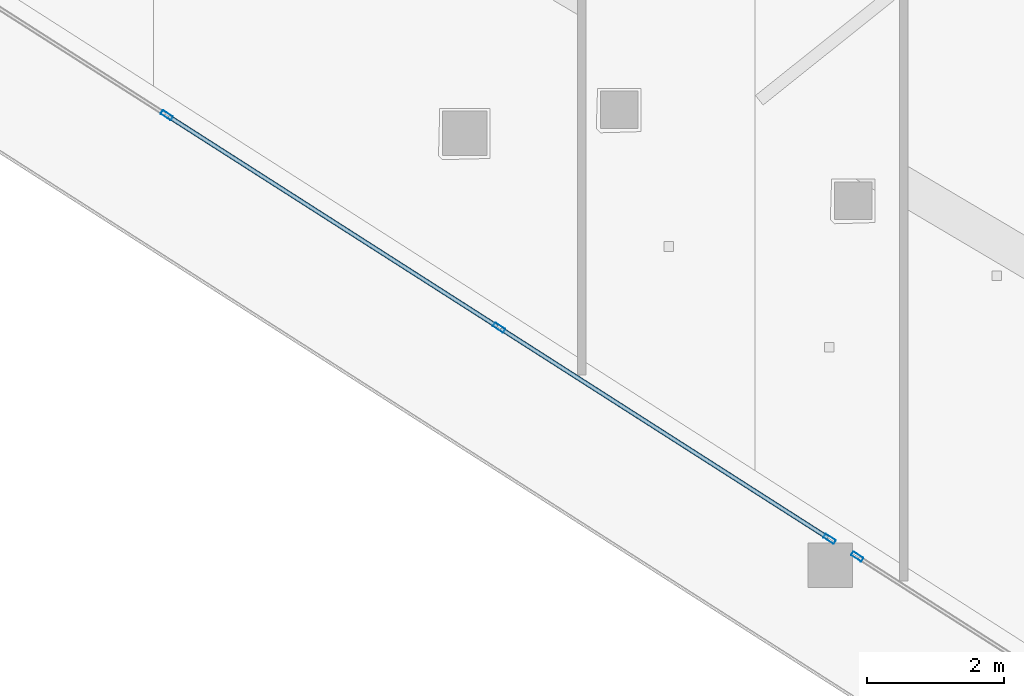
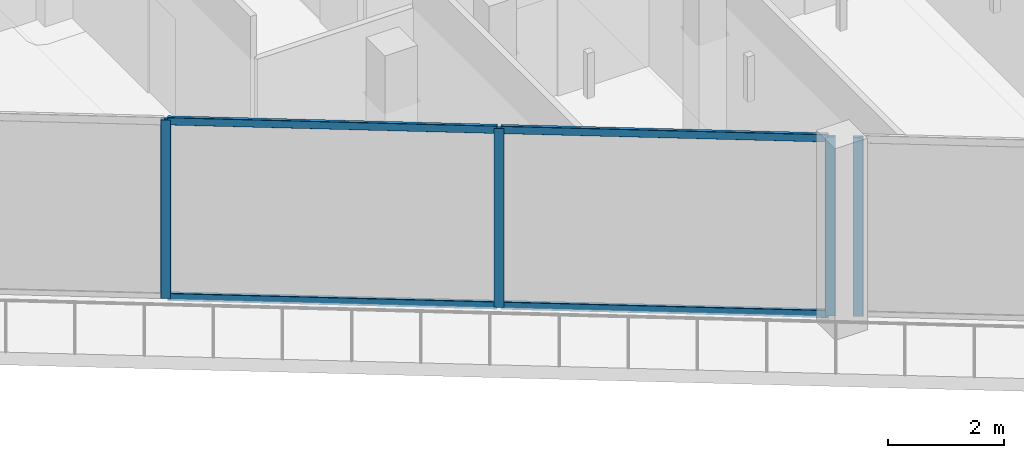
# One storey, part 3 of 37: 8 members, 2 elements without a shape of their own.
"""IFC4 building model written with IfcOpenShell, lengths in metres."""

from ifc_helpers import new_model, si_unit, direction, frame, origin, origin_2d, place, context, subcontext, project, spatial, hollow_rectangle, extrude, material, layer, layer_set, material_profile, profile_set, type_object, element, aggregate, save


model = new_model("IFC4")

# Units and contexts
model_context = context("Model", 3, precision=1e-05, world=origin(), true_north=direction((0.0, 1.0)))
body_context = subcontext(model_context, "Body", "Model", "MODEL_VIEW")
ifc_project = project(units=[si_unit("LENGTHUNIT", "METRE"), si_unit("AREAUNIT", "SQUARE_METRE"), si_unit("VOLUMEUNIT", "CUBIC_METRE"), si_unit("PLANEANGLEUNIT", "RADIAN"), si_unit("MASSUNIT", "GRAM", prefix="KILO")], contexts=[model_context])

# Site, building, storey
site_placement = place(None, origin())
site = spatial("IfcSite", under=ifc_project, at=site_placement, CompositionType="ELEMENT")
building_placement = place(site_placement, origin())
building = spatial("IfcBuilding", under=site, at=building_placement, Name="Qorvath Tower", CompositionType="ELEMENT")
storey_placement = place(building_placement, frame((0.0, 0.0, 184.800048828125)))
storey = spatial("IfcBuildingStorey", under=building, at=storey_placement, Name="L42", CompositionType="ELEMENT", Elevation=184.800048828125)

# Curtain wall, members
ifc_material_1 = material(Name="Anodised aluminium and triple low-E glass", Category="aluminium")
ifc_layer = layer(ifc_material_1, 0.179931640625)
ifc_layer_set = layer_set([ifc_layer], Name="CW-SYS-3")
curtain_wall_type = type_object("IfcCurtainWallType", Name="CW-SYS-3", PredefinedType="NOTDEFINED", material=ifc_layer_set)
curtain_wall_1_placement = place(storey_placement, origin())
curtain_wall_1 = element("IfcCurtainWall", 1, at=curtain_wall_1_placement, inside=storey, type_object=curtain_wall_type, Name="Curtain Wall CW-3 CW-T-L42-2.1", PredefinedType="NOTDEFINED")
ifc_material_2 = material(Name="Anodised aluminium 6063-T6", Category="aluminium")
ifc_material_profile_1 = material_profile(ifc_material_2, hollow_rectangle(XDim=0.06494140625, YDim=0.179931640625, WallThickness=0.00341796875, InnerFilletRadius=0.00341796875, OuterFilletRadius=0.007080078125, at=origin_2d()), Name="CWM 180x65")
ifc_profile_set_1 = profile_set([ifc_material_profile_1], Name="Anodised aluminium 6063-T6")
member_type_1 = type_object("IfcMemberType", Name="CWM-180", PredefinedType="MULLION", material=ifc_profile_set_1)
member_1_placement = place(storey_placement, frame((-40.72900390625, -12.8701171875, 0.0), z_axis=(0.0, 0.0, 1.0), x_axis=(0.53852951489, 0.842606647014, 0.0)))
member_1 = element("IfcMember", 2, at=member_1_placement, type_object=member_type_1, Name="CW-3 mullion 4", PredefinedType="MULLION", context=body_context, shape_type="SweptSolid", body=[
    extrude(hollow_rectangle(XDim=0.06494140625, YDim=0.179931640625, WallThickness=0.00341796875, InnerFilletRadius=0.00341796875, OuterFilletRadius=0.007080078125, at=origin_2d()), origin(), (0.0, 0.0, 1.0), 3.780029296875),
])
member_2_placement = place(storey_placement, frame((-35.86279296875, -15.980224609375, 0.0), z_axis=(0.0, 0.0, 1.0), x_axis=(0.53852951489, 0.842606647014, 0.0)))
member_2 = element("IfcMember", 3, at=member_2_placement, type_object=member_type_1, Name="CW-3 mullion 5", PredefinedType="MULLION", context=body_context, shape_type="SweptSolid", body=[
    extrude(hollow_rectangle(XDim=0.06494140625, YDim=0.179931640625, WallThickness=0.00341796875, InnerFilletRadius=0.00341796875, OuterFilletRadius=0.007080078125, at=origin_2d()), origin(), (0.0, 0.0, 1.0), 3.780029296875),
])
member_3_placement = place(storey_placement, frame((-31.02392578125, -19.07275390625, 0.0), z_axis=(0.0, 0.0, 1.0), x_axis=(0.53852951489, 0.842606647014, 0.0)))
member_3 = element("IfcMember", 4, at=member_3_placement, type_object=member_type_1, Name="CW-3 mullion 6", PredefinedType="MULLION", context=body_context, shape_type="SweptSolid", body=[
    extrude(hollow_rectangle(XDim=0.06494140625, YDim=0.179931640625, WallThickness=0.00341796875, InnerFilletRadius=0.00341796875, OuterFilletRadius=0.007080078125, at=origin_2d()), origin(), (0.0, 0.0, 1.0), 3.780029296875),
])

# Curtain wall, member
curtain_wall_2_placement = place(storey_placement, origin())
curtain_wall_2 = element("IfcCurtainWall", 5, at=curtain_wall_2_placement, inside=storey, type_object=curtain_wall_type, Name="Curtain Wall CW-3 CW-T-L42-2.2", PredefinedType="NOTDEFINED")
member_4_placement = place(storey_placement, frame((-30.61865234375, -19.33203125, 0.0), z_axis=(0.0, 0.0, 1.0), x_axis=(0.538531234683, 0.842605547852, 0.0)))
member_4 = element("IfcMember", 6, at=member_4_placement, type_object=member_type_1, Name="CW-3 mullion 1", PredefinedType="MULLION", context=body_context, shape_type="SweptSolid", body=[
    extrude(hollow_rectangle(XDim=0.06494140625, YDim=0.179931640625, WallThickness=0.00341796875, InnerFilletRadius=0.00341796875, OuterFilletRadius=0.007080078125, at=origin_2d()), origin(), (0.0, 0.0, 1.0), 3.780029296875),
])
aggregate(curtain_wall_2, [member_4])

# Member
ifc_material_3 = material(Name="Anodised aluminium 6063-T6", Category="aluminium")
ifc_material_profile_2 = material_profile(ifc_material_3, hollow_rectangle(XDim=0.06494140625, YDim=0.159912109375, WallThickness=0.00341796875, InnerFilletRadius=0.00341796875, OuterFilletRadius=0.007080078125, at=origin_2d()), Name="CWT 160x65")
ifc_profile_set_2 = profile_set([ifc_material_profile_2], Name="Anodised aluminium 6063-T6")
member_type_2 = type_object("IfcMemberType", Name="CWT-160", PredefinedType="USERDEFINED", material=ifc_profile_set_2)
member_5_placement = place(storey_placement, frame((-40.70166015625, -12.887451171875, 0.032470703125), z_axis=(0.84260356986, -0.538534329509, 0.0), x_axis=(0.538534329509, 0.84260356986, 0.0)))
member_5 = element("IfcMember", 7, at=member_5_placement, type_object=member_type_2, Name="CW-3 transom 4.1", ObjectType="TRANSOM", PredefinedType="USERDEFINED", context=body_context, shape_type="SweptSolid", body=[
    extrude(hollow_rectangle(XDim=0.06494140625, YDim=0.159912109375, WallThickness=0.00341796875, InnerFilletRadius=0.00341796875, OuterFilletRadius=0.007080078125, at=origin_2d()), origin(), (0.0, 0.0, 1.0), 5.710205078125),
])

member_6_placement = place(storey_placement, frame((-40.70166015625, -12.887451171875, 3.74755859375), z_axis=(0.84260356986, -0.538534329509, 0.0), x_axis=(0.538534329509, 0.84260356986, 0.0)))
member_6 = element("IfcMember", 8, at=member_6_placement, type_object=member_type_2, Name="CW-3 transom 4.2", ObjectType="TRANSOM", PredefinedType="USERDEFINED", context=body_context, shape_type="SweptSolid", body=[
    extrude(hollow_rectangle(XDim=0.06494140625, YDim=0.159912109375, WallThickness=0.00341796875, InnerFilletRadius=0.00341796875, OuterFilletRadius=0.007080078125, at=origin_2d()), origin(), (0.0, 0.0, 1.0), 5.710205078125),
])

member_7_placement = place(storey_placement, frame((-35.83544921875, -15.99755859375, 0.032470703125), z_axis=(0.84261171188, -0.538521590099, 0.0), x_axis=(0.538521590099, 0.84261171188, 0.0)))
member_7 = element("IfcMember", 9, at=member_7_placement, type_object=member_type_2, Name="CW-3 transom 5.1", ObjectType="TRANSOM", PredefinedType="USERDEFINED", context=body_context, shape_type="SweptSolid", body=[
    extrude(hollow_rectangle(XDim=0.06494140625, YDim=0.159912109375, WallThickness=0.00341796875, InnerFilletRadius=0.00341796875, OuterFilletRadius=0.007080078125, at=origin_2d()), origin(), (0.0, 0.0, 1.0), 5.677734375),
])

member_8_placement = place(storey_placement, frame((-35.83544921875, -15.99755859375, 3.74755859375), z_axis=(0.84261171188, -0.538521590099, 0.0), x_axis=(0.538521590099, 0.84261171188, 0.0)))
member_8 = element("IfcMember", 10, at=member_8_placement, type_object=member_type_2, Name="CW-3 transom 5.2", ObjectType="TRANSOM", PredefinedType="USERDEFINED", context=body_context, shape_type="SweptSolid", body=[
    extrude(hollow_rectangle(XDim=0.06494140625, YDim=0.159912109375, WallThickness=0.00341796875, InnerFilletRadius=0.00341796875, OuterFilletRadius=0.007080078125, at=origin_2d()), origin(), (0.0, 0.0, 1.0), 5.677734375),
])

aggregate(curtain_wall_1, [member_1, member_2, member_3, member_5, member_6, member_7, member_8])

save(model, "model.ifc")
